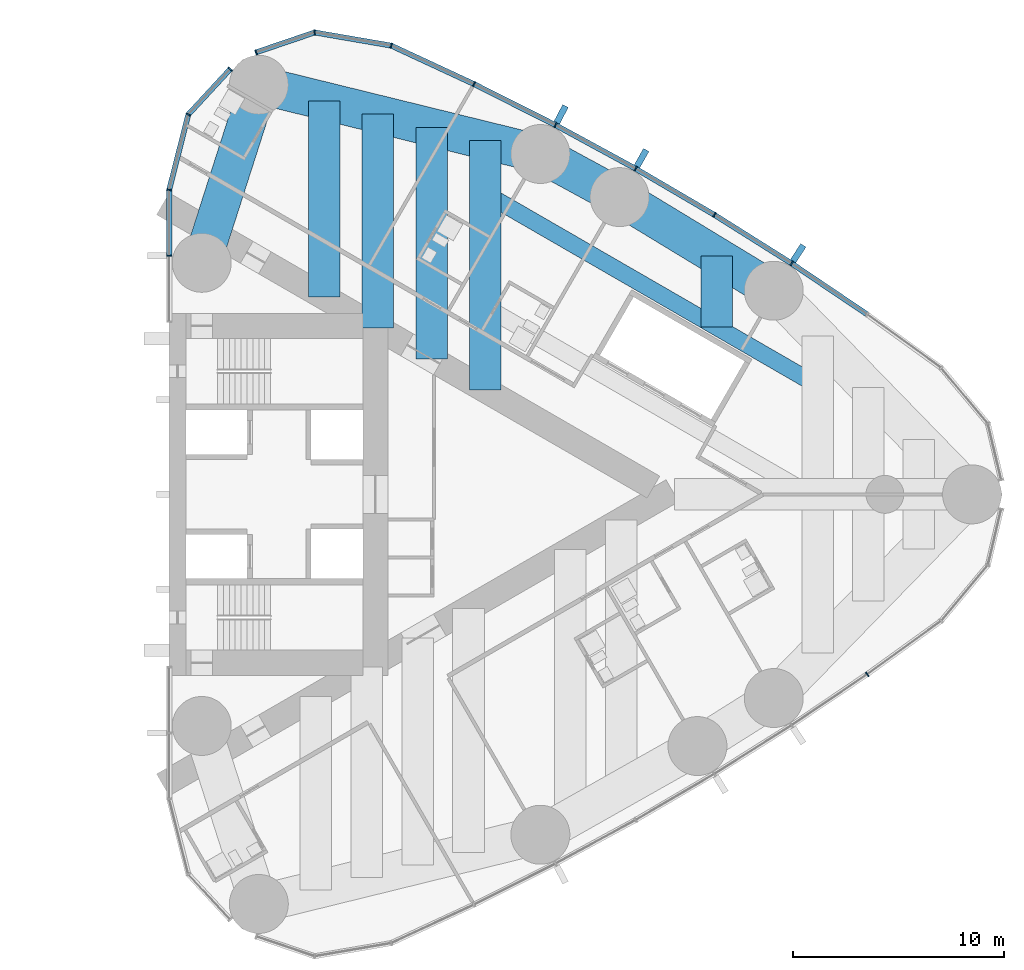
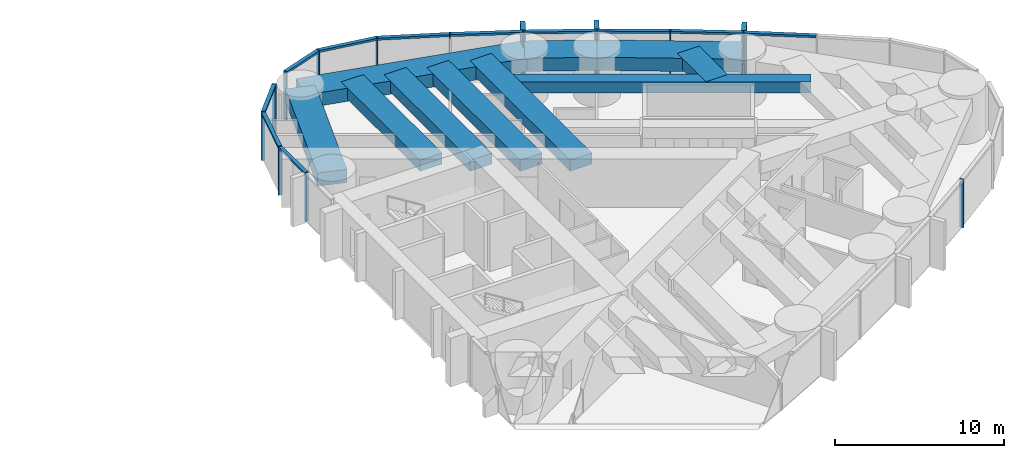
# One storey, part 8 of 18: 27 members, 10 beams, 3 elements without a shape of their own.
"""IFC4 building model written with IfcOpenShell, lengths in metres."""

import ifcopenshell
import ifcopenshell.guid

model = None  # the IFC model being written
_history = None  # IfcOwnerHistory: only IFC2X3 demands one
_inside = {}  # id of a spatial element -> (the spatial element, [elements in it])
_under = {}  # id of a project, library or spatial element -> (it, [spatial elements below it])
_declared = {}  # id of a project -> (the project, [libraries it declares])
_typed = {}  # id of a type object -> (the type object, [elements of that type])
_made_of = {}  # id of a material, layer set ... -> (it, [elements and type objects made of it])


def new_model(schema):
    """Start an empty IFC model of exactly this schema.

    Asked for "IFC4X3", IfcOpenShell would pick the latest addendum, in which some entities
    have other attributes; the version numbers below select the first issue.
    IFC2X3 requires an IfcOwnerHistory on every rooted entity: one is made here for all.
    """
    global model, _history
    if schema == "IFC4X3":
        model = ifcopenshell.file(schema_version=(4, 3, 0, 0))
    else:
        model = ifcopenshell.file(schema=schema)
    _inside.clear()
    _under.clear()
    _declared.clear()
    _typed.clear()
    _made_of.clear()
    _history = None
    if model.schema == "IFC2X3":
        org = make("IfcOrganization", Name="unknown")
        user = make(
            "IfcPersonAndOrganization",
            ThePerson=make("IfcPerson", FamilyName="unknown"),
            TheOrganization=org,
        )
        app = make(
            "IfcApplication",
            ApplicationDeveloper=org,
            Version="unknown",
            ApplicationFullName="unknown",
            ApplicationIdentifier="unknown",
        )
        _history = make(
            "IfcOwnerHistory",
            OwningUser=user,
            OwningApplication=app,
            ChangeAction="ADDED",
            CreationDate=0,
        )
    return model


def make(cls, **values):
    """One entity of the class cls with the attributes given. An attribute that is None is left unset."""
    return model.create_entity(
        cls, **{name: value for name, value in values.items() if value is not None}
    )


def rooted(cls, **values):
    """An entity with a GlobalId (a new one), such as an element, a storey or a relation."""
    return make(cls, GlobalId=ifcopenshell.guid.new(), OwnerHistory=_history, **values)


def si_unit(unit_type, name, prefix=None):
    """IfcSIUnit, for example si_unit("LENGTHUNIT", "METRE", prefix="MILLI")."""
    return make("IfcSIUnit", UnitType=unit_type, Prefix=prefix, Name=name)


def assignment(units):
    """IfcUnitAssignment: the units of a project."""
    return None if units is None else make("IfcUnitAssignment", Units=units)


def point(xyz):
    """IfcCartesianPoint."""
    return None if xyz is None else make("IfcCartesianPoint", Coordinates=xyz)


def direction(xyz):
    """IfcDirection."""
    return None if xyz is None else make("IfcDirection", DirectionRatios=xyz)


def frame(location, z_axis=None, x_axis=None):
    """IfcAxis2Placement3D, a coordinate frame: its origin and axes. An axis left out is left unset."""
    return make(
        "IfcAxis2Placement3D",
        Location=point(location),
        Axis=direction(z_axis),
        RefDirection=direction(x_axis),
    )


def frame_2d(location, x_axis=None):
    """IfcAxis2Placement2D, a coordinate frame in the plane: its origin and x axis."""
    return make(
        "IfcAxis2Placement2D", Location=point(location), RefDirection=direction(x_axis)
    )


def origin():
    """The frame at (0, 0, 0) with its axes left unset."""
    return frame((0.0, 0.0, 0.0))


def origin_2d():
    """The frame at (0, 0) in the plane with its x axis left unset."""
    return frame_2d((0.0, 0.0))


def place(relative_to, where):
    """IfcLocalPlacement: puts the frame where relative to a parent placement (None: the world)."""
    return make(
        "IfcLocalPlacement", PlacementRelTo=relative_to, RelativePlacement=where
    )


def context(
    kind, dimensions, precision=None, world=None, true_north=None, identifier=None
):
    """IfcGeometricRepresentationContext, for example the 3D "Model" context."""
    return make(
        "IfcGeometricRepresentationContext",
        ContextIdentifier=identifier,
        ContextType=kind,
        CoordinateSpaceDimension=dimensions,
        Precision=precision,
        WorldCoordinateSystem=world,
        TrueNorth=true_north,
    )


def subcontext(parent, identifier, kind, view, scale=None):
    """IfcGeometricRepresentationSubContext, for example "Body" below "Model"."""
    return make(
        "IfcGeometricRepresentationSubContext",
        ContextIdentifier=identifier,
        ContextType=kind,
        ParentContext=parent,
        TargetScale=scale,
        TargetView=view,
    )


def project(units=None, contexts=None):
    """IfcProject with its units and contexts."""
    return rooted(
        "IfcProject",
        Name="project",
        RepresentationContexts=contexts,
        UnitsInContext=assignment(units),
    )


def spatial(cls, under=None, at=None, **own):
    """A site, building, storey or space (cls), placed at a placement, below another one or the project."""
    s = rooted(cls, ObjectPlacement=at, **own)
    if under is not None:
        _under.setdefault(under.id(), (under, []))[1].append(s)
    return s


def profile(cls, at=None, kind="AREA", **sizes):
    """A parametric profile (cls). Its sizes go by their IFC names, for example OverallWidth=200.0."""
    return make(cls, ProfileType=kind, Position=at, **sizes)


def rectangle(**sizes):
    """IfcRectangleProfileDef."""
    return profile("IfcRectangleProfileDef", **sizes)


def hollow_rectangle(**sizes):
    """IfcRectangleHollowProfileDef."""
    return profile("IfcRectangleHollowProfileDef", **sizes)


def extrude(swept, where, along, depth):
    """IfcExtrudedAreaSolid: the profile swept, set in the frame where, extruded along a direction by depth."""
    return make(
        "IfcExtrudedAreaSolid",
        SweptArea=swept,
        Position=where,
        ExtrudedDirection=direction(along),
        Depth=depth,
    )


def shape(context_of_items, identifier, shape_type, items):
    """IfcShapeRepresentation: the items that make up one representation, for example the "Body"."""
    return make(
        "IfcShapeRepresentation",
        ContextOfItems=context_of_items,
        RepresentationIdentifier=identifier,
        RepresentationType=shape_type,
        Items=items,
    )


def material(Name=None, Category=None):
    """IfcMaterial."""
    return make("IfcMaterial", Name=Name, Category=Category)


def material_profile(
    of_material, cross_section, Name=None, Category=None, Priority=None
):
    """IfcMaterialProfile: a cross section and its material."""
    return make(
        "IfcMaterialProfile",
        Name=Name,
        Material=of_material,
        Profile=cross_section,
        Priority=Priority,
        Category=Category,
    )


def profile_set(profiles, Name=None, composite=None):
    """IfcMaterialProfileSet."""
    return make(
        "IfcMaterialProfileSet",
        Name=Name,
        MaterialProfiles=profiles,
        CompositeProfile=composite,
    )


def made_of(thing, what):
    """Note that an element or type object is made of a material, layer set ...; save() writes the relation."""
    if what is not None:
        _made_of.setdefault(what.id(), (what, []))[1].append(thing)
    return thing


def type_object(cls, material=None, **own):
    """A type object (cls), such as IfcWallType, which elements share."""
    return made_of(rooted(cls, **own), material)


def element(
    cls,
    number,
    at=None,
    inside=None,
    cuts=None,
    type_object=None,
    material=None,
    context=None,
    identifier="Body",
    shape_type=None,
    held_by="IfcProductDefinitionShape",
    body=None,
    shapes=None,
    **own,
):
    """One element of the class cls, such as IfcWall. Its Tag is "e" and its number.

    at: its placement. inside: the storey or other place that contains it. cuts: it is an
    opening in that element (IfcRelVoidsElement). A single representation is given by context,
    identifier, shape_type and body (its items); several are given by shapes. held_by: the class
    of the entity that holds the representations. save() writes the other relations.
    """
    e = rooted(cls, Tag="e%d" % number, ObjectPlacement=at, **own)
    if body is not None:
        shapes = [shape(context, identifier, shape_type, body)]
    if shapes is not None:
        e.Representation = make(held_by, Representations=shapes)
    if inside is not None:
        _inside.setdefault(inside.id(), (inside, []))[1].append(e)
    if cuts is not None:
        rooted(
            "IfcRelVoidsElement", RelatingBuildingElement=cuts, RelatedOpeningElement=e
        )
    if type_object is not None:
        _typed.setdefault(type_object.id(), (type_object, []))[1].append(e)
    return made_of(e, material)


def aggregate(whole, parts):
    """IfcRelAggregates: a whole, such as a stair, and the parts it consists of."""
    return rooted("IfcRelAggregates", RelatingObject=whole, RelatedObjects=parts)


def save(model, path):
    """Write the relations noted so far, then the file.

    IfcRelAggregates (storeys below a building ...), IfcRelContainedInSpatialStructure (elements
    in a storey), IfcRelDefinesByType, IfcRelAssociatesMaterial and IfcRelDeclares: one each for
    every whole, place, type object, material and project.
    """
    for whole, parts in _under.values():
        aggregate(whole, parts)
    for where, things in _inside.values():
        rooted(
            "IfcRelContainedInSpatialStructure",
            RelatedElements=things,
            RelatingStructure=where,
        )
    for kind, things in _typed.values():
        rooted("IfcRelDefinesByType", RelatedObjects=things, RelatingType=kind)
    for what, things in _made_of.values():
        rooted("IfcRelAssociatesMaterial", RelatedObjects=things, RelatingMaterial=what)
    for by, libraries in _declared.values():
        rooted("IfcRelDeclares", RelatingContext=by, RelatedDefinitions=libraries)
    model.write(path)


model = new_model("IFC4")

# Units and contexts
model_context = context("Model", 3, precision=1e-05, world=origin(), true_north=direction((0.0, 1.0)))
body_context = subcontext(model_context, "Body", "Model", "MODEL_VIEW")
ifc_project = project(units=[si_unit("LENGTHUNIT", "METRE"), si_unit("AREAUNIT", "SQUARE_METRE"), si_unit("VOLUMEUNIT", "CUBIC_METRE"), si_unit("PLANEANGLEUNIT", "RADIAN"), si_unit("MASSUNIT", "GRAM", prefix="KILO")], contexts=[model_context])

# Site, building, storey
site_placement = place(None, origin())
site = spatial("IfcSite", under=ifc_project, at=site_placement, CompositionType="ELEMENT")
building_placement = place(site_placement, origin())
building = spatial("IfcBuilding", under=site, at=building_placement, Name="Lancet Gate Hotel", CompositionType="ELEMENT")
storey_placement = place(building_placement, frame((0.0, 0.0, 166.800048828125)))
storey = spatial("IfcBuildingStorey", under=building, at=storey_placement, Name="L44", CompositionType="ELEMENT", Elevation=166.800048828125)

# Curtain wall, member
ifc_material_1 = material(Name="Aluminium curtain wall", Category="aluminium")
curtain_wall_type = type_object("IfcCurtainWallType", Name="Tower unitised curtain wall", PredefinedType="USERDEFINED", material=ifc_material_1)
curtain_wall_1_placement = place(storey_placement, origin())
curtain_wall_1 = element("IfcCurtainWall", 1, at=curtain_wall_1_placement, inside=storey, type_object=curtain_wall_type, Name="T2 L44 curtain wall 2", ObjectType="UNITISED CURTAIN WALL", PredefinedType="USERDEFINED")
ifc_material_2 = material(Name="Aluminium mullion", Category="aluminium")
ifc_material_profile_1 = material_profile(ifc_material_2, rectangle(XDim=0.06494140625, YDim=0.25, at=origin_2d()), Name="MULLION 65x250")
ifc_profile_set_1 = profile_set([ifc_material_profile_1], Name="Aluminium mullion")
member_type_1 = type_object("IfcMemberType", Name="Aluminium mullion 65x250", PredefinedType="MULLION", material=ifc_profile_set_1)
member_1_placement = place(storey_placement, frame((60.66015625, -8.547607421875, 0.0), z_axis=(0.0, 0.0, 1.0), x_axis=(0.820068208435, 0.572265789222, 0.0)))
member_1 = element("IfcMember", 2, at=member_1_placement, type_object=member_type_1, Name="T2 L44 curtain wall 2 mullion 9", PredefinedType="MULLION", context=body_context, shape_type="SweptSolid", body=[
    extrude(rectangle(XDim=0.06494140625, YDim=0.25, at=origin_2d()), origin(), (0.0, 0.0, 1.0), 3.5),
])
aggregate(curtain_wall_1, [member_1])

# Curtain wall, members
curtain_wall_2_placement = place(storey_placement, origin())
curtain_wall_2 = element("IfcCurtainWall", 3, at=curtain_wall_2_placement, inside=storey, type_object=curtain_wall_type, Name="T2 L44 curtain wall 3", ObjectType="UNITISED CURTAIN WALL", PredefinedType="USERDEFINED")
member_2_placement = place(storey_placement, frame((57.067138671875, 10.970947265625, 0.0), z_axis=(0.0, 0.0, 1.0), x_axis=(-0.837800943278, 0.545975804815, 0.0)))
member_2 = element("IfcMember", 4, at=member_2_placement, type_object=member_type_1, Name="T2 L44 curtain wall 3 mullion 5", PredefinedType="MULLION", context=body_context, shape_type="SweptSolid", body=[
    extrude(rectangle(XDim=0.06494140625, YDim=0.25, at=origin_2d()), origin(), (0.0, 0.0, 1.0), 3.5),
])
member_3_placement = place(storey_placement, frame((53.39892578125, 13.279541015625, 0.0), z_axis=(0.0, 0.0, 1.0), x_axis=(-0.854691174453, 0.519136779965, 0.0)))
member_3 = element("IfcMember", 5, at=member_3_placement, type_object=member_type_1, Name="T2 L44 curtain wall 3 mullion 6", PredefinedType="MULLION", context=body_context, shape_type="SweptSolid", body=[
    extrude(rectangle(XDim=0.06494140625, YDim=0.25, at=origin_2d()), origin(), (0.0, 0.0, 1.0), 3.5),
])
member_4_placement = place(storey_placement, frame((49.65966796875, 15.47021484375, 0.0), z_axis=(0.0, 0.0, 1.0), x_axis=(-0.870721916932, 0.491775704336, 0.0)))
member_4 = element("IfcMember", 6, at=member_4_placement, type_object=member_type_1, Name="T2 L44 curtain wall 3 mullion 7", PredefinedType="MULLION", context=body_context, shape_type="SweptSolid", body=[
    extrude(rectangle(XDim=0.06494140625, YDim=0.25, at=origin_2d()), origin(), (0.0, 0.0, 1.0), 3.5),
])
member_5_placement = place(storey_placement, frame((45.8525390625, 17.54150390625, 0.0), z_axis=(0.0, 0.0, 1.0), x_axis=(-0.885877049989, 0.463920092584, 0.0)))
member_5 = element("IfcMember", 7, at=member_5_placement, type_object=member_type_1, Name="T2 L44 curtain wall 3 mullion 8", PredefinedType="MULLION", context=body_context, shape_type="SweptSolid", body=[
    extrude(rectangle(XDim=0.06494140625, YDim=0.25, at=origin_2d()), origin(), (0.0, 0.0, 1.0), 3.5),
])
member_6_placement = place(storey_placement, frame((41.98193359375, 19.490966796875, 0.0), z_axis=(0.0, 0.0, 1.0), x_axis=(-0.900141333422, 0.435597956681, 0.0)))
member_6 = element("IfcMember", 8, at=member_6_placement, type_object=member_type_1, Name="T2 L44 curtain wall 3 mullion 9", PredefinedType="MULLION", context=body_context, shape_type="SweptSolid", body=[
    extrude(rectangle(XDim=0.06494140625, YDim=0.25, at=origin_2d()), origin(), (0.0, 0.0, 1.0), 3.5),
])
member_7_placement = place(storey_placement, frame((38.05126953125, 21.31689453125, 0.0), z_axis=(0.0, 0.0, 1.0), x_axis=(-0.951355493327, 0.308095318555, 0.0)))
member_7 = element("IfcMember", 9, at=member_7_placement, type_object=member_type_1, Name="T2 L44 curtain wall 3 mullion 10", PredefinedType="MULLION", context=body_context, shape_type="SweptSolid", body=[
    extrude(rectangle(XDim=0.06494140625, YDim=0.25, at=origin_2d()), origin(), (0.0, 0.0, 1.0), 3.5),
])
member_8_placement = place(storey_placement, frame((34.412109375, 21.9423828125, 0.0), z_axis=(0.0, 0.0, 1.0), x_axis=(-0.99877556888, -0.049470829879, 0.0)))
member_8 = element("IfcMember", 10, at=member_8_placement, type_object=member_type_1, Name="T2 L44 curtain wall 3 mullion 11", PredefinedType="MULLION", context=body_context, shape_type="SweptSolid", body=[
    extrude(rectangle(XDim=0.06494140625, YDim=0.25, at=origin_2d()), origin(), (0.0, 0.0, 1.0), 3.5),
])
member_9_placement = place(storey_placement, frame((31.631591796875, 20.998779296875, 0.0), z_axis=(0.0, 0.0, 1.0), x_axis=(-0.946952368511, -0.321373943827, 0.0)))
member_9 = element("IfcMember", 11, at=member_9_placement, type_object=member_type_1, Name="T2 L44 curtain wall 3 mullion 12", PredefinedType="MULLION", context=body_context, shape_type="SweptSolid", body=[
    extrude(rectangle(XDim=0.06494140625, YDim=0.25, at=origin_2d()), origin(), (0.0, 0.0, 1.0), 3.5),
])

curtain_wall_3_placement = place(storey_placement, origin())
curtain_wall_3 = element("IfcCurtainWall", 12, at=curtain_wall_3_placement, inside=storey, type_object=curtain_wall_type, Name="T2 L44 curtain wall 4", ObjectType="UNITISED CURTAIN WALL", PredefinedType="USERDEFINED")
member_10_placement = place(storey_placement, frame((30.40185546875, 20.199951171875, 0.0), z_axis=(0.0, 0.0, 1.0), x_axis=(-0.67883123083, -0.734294327943, 0.0)))
member_10 = element("IfcMember", 13, at=member_10_placement, type_object=member_type_1, Name="T2 L44 curtain wall 4 mullion 1", PredefinedType="MULLION", context=body_context, shape_type="SweptSolid", body=[
    extrude(rectangle(XDim=0.06494140625, YDim=0.25, at=origin_2d()), origin(), (0.0, 0.0, 1.0), 3.5),
])
member_11_placement = place(storey_placement, frame((28.408935546875, 18.04443359375, 0.0), z_axis=(0.0, 0.0, 1.0), x_axis=(-0.451505925065, -0.892268120932, 0.0)))
member_11 = element("IfcMember", 14, at=member_11_placement, type_object=member_type_1, Name="T2 L44 curtain wall 4 mullion 2", PredefinedType="MULLION", context=body_context, shape_type="SweptSolid", body=[
    extrude(rectangle(XDim=0.06494140625, YDim=0.25, at=origin_2d()), origin(), (0.0, 0.0, 1.0), 3.5),
])
member_12_placement = place(storey_placement, frame((27.5, 14.465576171875, 0.0), z_axis=(0.0, 0.0, 1.0), x_axis=(-0.134206524909, -0.990953383703, 0.0)))
member_12 = element("IfcMember", 15, at=member_12_placement, type_object=member_type_1, Name="T2 L44 curtain wall 4 mullion 3", PredefinedType="MULLION", context=body_context, shape_type="SweptSolid", body=[
    extrude(rectangle(XDim=0.06494140625, YDim=0.25, at=origin_2d()), origin(), (0.0, 0.0, 1.0), 3.5),
])
member_13_placement = place(storey_placement, frame((27.5, 11.332763671875, 0.0), z_axis=(0.0, 0.0, 1.0), x_axis=(0.0, -1.0, 0.0)))
member_13 = element("IfcMember", 16, at=member_13_placement, type_object=member_type_1, Name="T2 L44 curtain wall 4 mullion 4", PredefinedType="MULLION", context=body_context, shape_type="SweptSolid", body=[
    extrude(rectangle(XDim=0.06494140625, YDim=0.25, at=origin_2d()), origin(), (0.0, 0.0, 1.0), 3.5),
])

# Member
ifc_material_3 = material(Name="Aluminium transom", Category="aluminium")
ifc_material_profile_2 = material_profile(ifc_material_3, rectangle(XDim=0.25, YDim=0.14990234375, at=origin_2d()), Name="TRANSOM 250x150")
ifc_profile_set_2 = profile_set([ifc_material_profile_2], Name="Aluminium transom")
member_type_2 = type_object("IfcMemberType", Name="Aluminium transom 250x150", PredefinedType="USERDEFINED", material=ifc_profile_set_2)
member_14_placement = place(storey_placement, frame((60.63330078125, 8.565673828125, 3.425048828125), z_axis=(-0.829046850689, 0.559179147826, 0.0), x_axis=(-0.559179147826, -0.829046850689, 0.0)))
member_14 = element("IfcMember", 17, at=member_14_placement, type_object=member_type_2, Name="T2 L44 curtain wall 3 transom 4", ObjectType="TRANSOM", PredefinedType="USERDEFINED", context=body_context, shape_type="SweptSolid", body=[
    extrude(rectangle(XDim=0.25, YDim=0.14990234375, at=origin_2d()), origin(), (0.0, 0.0, 1.0), 4.26904296875),
])

member_15_placement = place(storey_placement, frame((57.03955078125, 10.98828125, 3.425048828125), z_axis=(-0.846333101657, 0.532653997488, 0.0), x_axis=(-0.532653997488, -0.846333101657, 0.0)))
member_15 = element("IfcMember", 18, at=member_15_placement, type_object=member_type_2, Name="T2 L44 curtain wall 3 transom 5", ObjectType="TRANSOM", PredefinedType="USERDEFINED", context=body_context, shape_type="SweptSolid", body=[
    extrude(rectangle(XDim=0.25, YDim=0.14990234375, at=origin_2d()), origin(), (0.0, 0.0, 1.0), 4.26904296875),
])

member_16_placement = place(storey_placement, frame((53.37109375, 13.2958984375, 3.425048828125), z_axis=(-0.862825279032, 0.505502262966, 0.0), x_axis=(-0.505502262966, -0.862825279032, 0.0)))
member_16 = element("IfcMember", 19, at=member_16_placement, type_object=member_type_2, Name="T2 L44 curtain wall 3 transom 6", ObjectType="TRANSOM", PredefinedType="USERDEFINED", context=body_context, shape_type="SweptSolid", body=[
    extrude(rectangle(XDim=0.25, YDim=0.14990234375, at=origin_2d()), origin(), (0.0, 0.0, 1.0), 4.26904296875),
])

member_17_placement = place(storey_placement, frame((49.631103515625, 15.48583984375, 3.425048828125), z_axis=(-0.878404302735, 0.477918278513, 0.0), x_axis=(-0.477918278513, -0.878404302735, 0.0)))
member_17 = element("IfcMember", 20, at=member_17_placement, type_object=member_type_2, Name="T2 L44 curtain wall 3 transom 7", ObjectType="TRANSOM", PredefinedType="USERDEFINED", context=body_context, shape_type="SweptSolid", body=[
    extrude(rectangle(XDim=0.25, YDim=0.14990234375, at=origin_2d()), origin(), (0.0, 0.0, 1.0), 4.26904296875),
])

member_18_placement = place(storey_placement, frame((45.82373046875, 17.55615234375, 3.425048828125), z_axis=(-0.893130969207, 0.449796700571, 0.0), x_axis=(-0.449796700571, -0.893130969207, 0.0)))
member_18 = element("IfcMember", 21, at=member_18_placement, type_object=member_type_2, Name="T2 L44 curtain wall 3 transom 8", ObjectType="TRANSOM", PredefinedType="USERDEFINED", context=body_context, shape_type="SweptSolid", body=[
    extrude(rectangle(XDim=0.25, YDim=0.14990234375, at=origin_2d()), origin(), (0.0, 0.0, 1.0), 4.26904296875),
])

member_19_placement = place(storey_placement, frame((41.952392578125, 19.504638671875, 3.425048828125), z_axis=(-0.906913768492, 0.421316290357, 0.0), x_axis=(-0.421316290357, -0.906913768492, 0.0)))
member_19 = element("IfcMember", 22, at=member_19_placement, type_object=member_type_2, Name="T2 L44 curtain wall 3 transom 9", ObjectType="TRANSOM", PredefinedType="USERDEFINED", context=body_context, shape_type="SweptSolid", body=[
    extrude(rectangle(XDim=0.25, YDim=0.14990234375, at=origin_2d()), origin(), (0.0, 0.0, 1.0), 4.26904296875),
])

member_20_placement = place(storey_placement, frame((38.019287109375, 21.322265625, 3.425048828125), z_axis=(-0.985536950873, 0.169460669373, 0.0), x_axis=(-0.169460669373, -0.985536950873, 0.0)))
member_20 = element("IfcMember", 23, at=member_20_placement, type_object=member_type_2, Name="T2 L44 curtain wall 3 transom 10", ObjectType="TRANSOM", PredefinedType="USERDEFINED", context=body_context, shape_type="SweptSolid", body=[
    extrude(rectangle(XDim=0.25, YDim=0.14990234375, at=origin_2d()), origin(), (0.0, 0.0, 1.0), 3.627685546875),
])

member_21_placement = place(storey_placement, frame((34.38134765625, 21.93212890625, 3.425048828125), z_axis=(-0.946943122832, -0.321401185625, 0.0), x_axis=(0.321401185625, -0.946943122832, 0.0)))
member_21 = element("IfcMember", 24, at=member_21_placement, type_object=member_type_2, Name="T2 L44 curtain wall 3 transom 11", ObjectType="TRANSOM", PredefinedType="USERDEFINED", context=body_context, shape_type="SweptSolid", body=[
    extrude(rectangle(XDim=0.25, YDim=0.14990234375, at=origin_2d()), origin(), (0.0, 0.0, 1.0), 2.871337890625),
])

member_22_placement = place(storey_placement, frame((30.379638671875, 20.17626953125, 3.425048828125), z_axis=(-0.678792146129, -0.734330458549, 0.0), x_axis=(0.734330458549, -0.678792146129, 0.0)))
member_22 = element("IfcMember", 25, at=member_22_placement, type_object=member_type_2, Name="T2 L44 curtain wall 4 transom 1", ObjectType="TRANSOM", PredefinedType="USERDEFINED", context=body_context, shape_type="SweptSolid", body=[
    extrude(rectangle(XDim=0.25, YDim=0.14990234375, at=origin_2d()), origin(), (0.0, 0.0, 1.0), 2.87060546875),
])

member_23_placement = place(storey_placement, frame((28.40087890625, 18.012939453125, 3.425048828125), z_axis=(-0.246128756616, -0.969237140831, 0.0), x_axis=(0.969237140831, -0.246128756616, 0.0)))
member_23 = element("IfcMember", 26, at=member_23_placement, type_object=member_type_2, Name="T2 L44 curtain wall 4 transom 2", ObjectType="TRANSOM", PredefinedType="USERDEFINED", context=body_context, shape_type="SweptSolid", body=[
    extrude(rectangle(XDim=0.25, YDim=0.14990234375, at=origin_2d()), origin(), (0.0, 0.0, 1.0), 3.62744140625),
])

member_24_placement = place(storey_placement, frame((27.5, 14.43310546875, 3.425048828125), z_axis=(0.0, -1.0, 0.0), x_axis=(1.0, 0.0, 0.0)))
member_24 = element("IfcMember", 27, at=member_24_placement, type_object=member_type_2, Name="T2 L44 curtain wall 4 transom 3", ObjectType="TRANSOM", PredefinedType="USERDEFINED", context=body_context, shape_type="SweptSolid", body=[
    extrude(rectangle(XDim=0.25, YDim=0.14990234375, at=origin_2d()), origin(), (0.0, 0.0, 1.0), 3.06787109375),
])

aggregate(curtain_wall_3, [member_10, member_11, member_12, member_13, member_22, member_23, member_24])

# Beams
ifc_material_4 = material(Name="Concrete C50/60", Category="concrete")
ifc_material_profile_3 = material_profile(ifc_material_4, rectangle(XDim=1.800048828125, YDim=0.949951171875, at=origin_2d()), Name="RC 1800x950")
ifc_profile_set_3 = profile_set([ifc_material_profile_3], Name="Concrete C50/60")
beam_type_1 = type_object("IfcBeamType", Name="Edge beam RC 1800x950", PredefinedType="SPANDREL", material=ifc_profile_set_3)
beam_1_placement = place(storey_placement, frame((56.220947265625, 9.67236328125, 2.77490234375), z_axis=(-0.854692251129, 0.519135007353, 0.0), x_axis=(-0.519135007353, -0.854692251129, 0.0)))
element("IfcBeam", 28, at=beam_1_placement, inside=storey, type_object=beam_type_1, Name="T2 edge beam EB1 L44", PredefinedType="SPANDREL", context=body_context, shape_type="SweptSolid", body=[
    extrude(rectangle(XDim=1.800048828125, YDim=0.949951171875, at=origin_2d()), origin(), (0.0, 0.0, 1.0), 8.568603515625),
])
beam_2_placement = place(storey_placement, frame((48.8974609375, 14.12060546875, 2.77490234375), z_axis=(-0.878404597051, 0.477917737566, 0.0), x_axis=(-0.477917737566, -0.878404597051, 0.0)))
element("IfcBeam", 29, at=beam_2_placement, inside=storey, type_object=beam_type_1, Name="T2 edge beam EB1 L44", PredefinedType="SPANDREL", context=body_context, shape_type="SweptSolid", body=[
    extrude(rectangle(XDim=1.800048828125, YDim=0.949951171875, at=origin_2d()), origin(), (0.0, 0.0, 1.0), 4.284912109375),
])
beam_3_placement = place(storey_placement, frame((45.133544921875, 16.16845703125, 2.77490234375), z_axis=(-0.971093253227, 0.238700426344, 0.0), x_axis=(-0.238700426344, -0.971093253227, 0.0)))
element("IfcBeam", 30, at=beam_3_placement, inside=storey, type_object=beam_type_1, Name="T2 edge beam EB1 L44", PredefinedType="SPANDREL", context=body_context, shape_type="SweptSolid", body=[
    extrude(rectangle(XDim=1.800048828125, YDim=0.949951171875, at=origin_2d()), origin(), (0.0, 0.0, 1.0), 13.77197265625),
])
beam_4_placement = place(storey_placement, frame((29.050048828125, 11.0, 2.77490234375), z_axis=(0.305169772986, 0.952297962644, 0.0), x_axis=(-0.952297962644, 0.305169772986, 0.0)))
element("IfcBeam", 31, at=beam_4_placement, inside=storey, type_object=beam_type_1, Name="T2 edge beam EB1 L44", PredefinedType="SPANDREL", context=body_context, shape_type="SweptSolid", body=[
    extrude(rectangle(XDim=1.800048828125, YDim=0.949951171875, at=origin_2d()), origin(), (0.0, 0.0, 1.0), 8.87939453125),
])

# Member
ifc_material_5 = material(Name="Precast concrete C50/60", Category="concrete")
ifc_material_profile_4 = material_profile(ifc_material_5, rectangle(XDim=0.300048828125, YDim=0.89990234375, at=origin_2d()), Name="FIN 300x900")
ifc_profile_set_4 = profile_set([ifc_material_profile_4], Name="Precast concrete C50/60")
member_type_3 = type_object("IfcMemberType", Name="Exposed concrete fin 300x900", PredefinedType="USERDEFINED", material=ifc_profile_set_4)
member_25_placement = place(storey_placement, frame((57.381103515625, 11.452880859375, 0.0), z_axis=(0.0, 0.0, 1.0), x_axis=(-0.837800943278, 0.545975804815, 0.0)))
member_25 = element("IfcMember", 32, at=member_25_placement, type_object=member_type_3, Name="T2 L44 curtain wall 3 fin 5", ObjectType="FIN", PredefinedType="USERDEFINED", context=body_context, shape_type="SweptSolid", body=[
    extrude(rectangle(XDim=0.300048828125, YDim=0.89990234375, at=origin_2d()), origin(), (0.0, 0.0, 1.0), 3.5),
])

member_26_placement = place(storey_placement, frame((49.9423828125, 15.970947265625, 0.0), z_axis=(0.0, 0.0, 1.0), x_axis=(-0.870721916932, 0.491775704336, 0.0)))
member_26 = element("IfcMember", 33, at=member_26_placement, type_object=member_type_3, Name="T2 L44 curtain wall 3 fin 7", ObjectType="FIN", PredefinedType="USERDEFINED", context=body_context, shape_type="SweptSolid", body=[
    extrude(rectangle(XDim=0.300048828125, YDim=0.89990234375, at=origin_2d()), origin(), (0.0, 0.0, 1.0), 3.5),
])

member_27_placement = place(storey_placement, frame((46.119384765625, 18.051025390625, 0.0), z_axis=(0.0, 0.0, 1.0), x_axis=(-0.885877049989, 0.463920092584, 0.0)))
member_27 = element("IfcMember", 34, at=member_27_placement, type_object=member_type_3, Name="T2 L44 curtain wall 3 fin 8", ObjectType="FIN", PredefinedType="USERDEFINED", context=body_context, shape_type="SweptSolid", body=[
    extrude(rectangle(XDim=0.300048828125, YDim=0.89990234375, at=origin_2d()), origin(), (0.0, 0.0, 1.0), 3.5),
])

aggregate(curtain_wall_2, [member_2, member_25, member_3, member_4, member_26, member_5, member_27, member_6, member_7, member_8, member_9, member_14, member_15, member_16, member_17, member_18, member_19, member_20, member_21])

# Beams
ifc_material_6 = material(Name="Concrete C50/60", Category="concrete")
ifc_material_profile_5 = material_profile(ifc_material_6, rectangle(XDim=1.5, YDim=0.800048828125, at=origin_2d()), Name="RC 1500x800")
ifc_profile_set_5 = profile_set([ifc_material_profile_5], Name="Concrete C50/60")
beam_type_2 = type_object("IfcBeamType", Name="Floor beam RC 1500x800", PredefinedType="BEAM", material=ifc_profile_set_5)
beam_5_placement = place(storey_placement, frame((34.859619140625, 9.377685546875, 2.849853515625), z_axis=(0.0, 1.0, 0.0), x_axis=(-1.0, 0.0, 0.0)))
element("IfcBeam", 35, at=beam_5_placement, inside=storey, type_object=beam_type_2, Name="T2 floor beam F02N L44", PredefinedType="BEAM", context=body_context, shape_type="SweptSolid", body=[
    extrude(rectangle(XDim=1.5, YDim=0.800048828125, at=origin_2d()), origin(), (0.0, 0.0, 1.0), 9.316162109375),
])
beam_6_placement = place(storey_placement, frame((37.412841796875, 7.903564453125, 2.849853515625), z_axis=(0.0, 1.0, 0.0), x_axis=(-1.0, 0.0, 0.0)))
element("IfcBeam", 36, at=beam_6_placement, inside=storey, type_object=beam_type_2, Name="T2 floor beam F04N L44", PredefinedType="BEAM", context=body_context, shape_type="SweptSolid", body=[
    extrude(rectangle(XDim=1.5, YDim=0.800048828125, at=origin_2d()), origin(), (0.0, 0.0, 1.0), 10.16259765625),
])
beam_7_placement = place(storey_placement, frame((39.9658203125, 6.429443359375, 2.849853515625), z_axis=(0.0, 1.0, 0.0), x_axis=(-1.0, 0.0, 0.0)))
element("IfcBeam", 37, at=beam_7_placement, inside=storey, type_object=beam_type_2, Name="T2 floor beam F06N L44", PredefinedType="BEAM", context=body_context, shape_type="SweptSolid", body=[
    extrude(rectangle(XDim=1.5, YDim=0.800048828125, at=origin_2d()), origin(), (0.0, 0.0, 1.0), 11.00927734375),
])
beam_8_placement = place(storey_placement, frame((42.51904296875, 4.95556640625, 2.849853515625), z_axis=(0.0, 1.0, 0.0), x_axis=(-1.0, 0.0, 0.0)))
element("IfcBeam", 38, at=beam_8_placement, inside=storey, type_object=beam_type_2, Name="T2 floor beam F08N L44", PredefinedType="BEAM", context=body_context, shape_type="SweptSolid", body=[
    extrude(rectangle(XDim=1.5, YDim=0.800048828125, at=origin_2d()), origin(), (0.0, 0.0, 1.0), 11.85546875),
])
beam_9_placement = place(storey_placement, frame((53.502197265625, 7.94775390625, 2.849853515625), z_axis=(0.0, 1.0, 0.0), x_axis=(-1.0, 0.0, 0.0)))
element("IfcBeam", 39, at=beam_9_placement, inside=storey, type_object=beam_type_2, Name="T2 floor beam F11NB L44", PredefinedType="BEAM", context=body_context, shape_type="SweptSolid", body=[
    extrude(rectangle(XDim=1.5, YDim=0.800048828125, at=origin_2d()), origin(), (0.0, 0.0, 1.0), 3.3759765625),
])
ifc_material_7 = material(Name="Steel S460QL", Category="steel")
ifc_material_profile_6 = material_profile(ifc_material_7, hollow_rectangle(XDim=0.800048828125, YDim=0.800048828125, WallThickness=0.080078125, at=origin_2d()), Name="BOX 800x800x80")
ifc_profile_set_6 = profile_set([ifc_material_profile_6], Name="Steel S460QL")
beam_type_3 = type_object("IfcBeamType", Name="Trimmer beam BOX 800x800x80", PredefinedType="BEAM", material=ifc_profile_set_6)
beam_10_placement = place(storey_placement, frame((42.51904296875, 14.289794921875, 2.849853515625), z_axis=(0.865993732867, -0.500054851626, 0.0), x_axis=(0.500054851626, 0.865993732867, 0.0)))
element("IfcBeam", 40, at=beam_10_placement, inside=storey, type_object=beam_type_3, Name="T2 trimmer beam TR01N L44", PredefinedType="BEAM", context=body_context, shape_type="SweptSolid", body=[
    extrude(hollow_rectangle(XDim=0.800048828125, YDim=0.800048828125, WallThickness=0.080078125, at=origin_2d()), origin(), (0.0, 0.0, 1.0), 18.2255859375),
])

save(model, "model.ifc")
